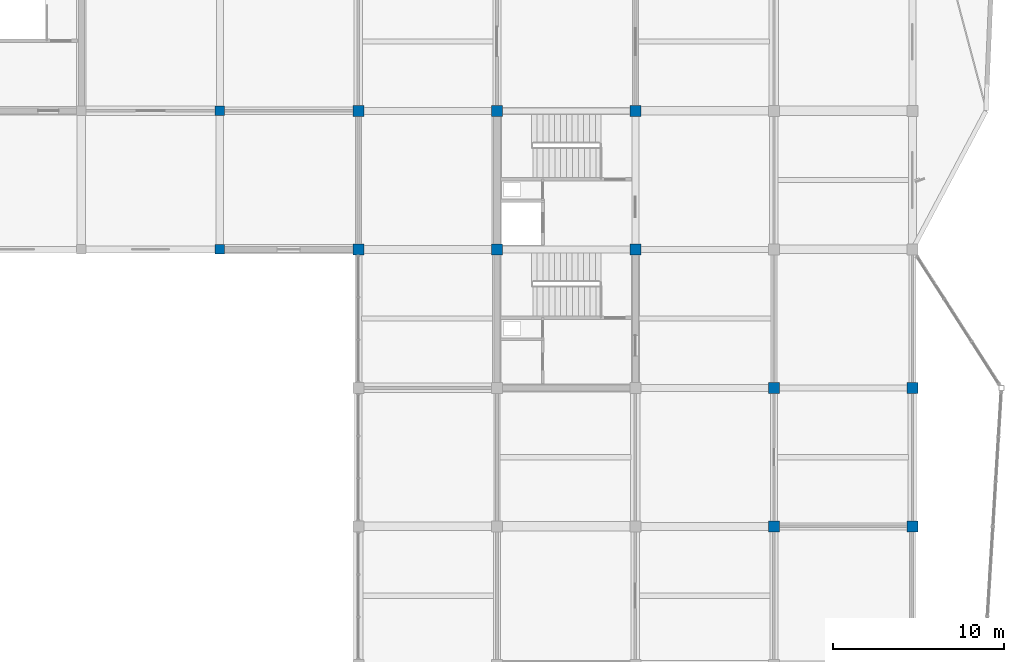
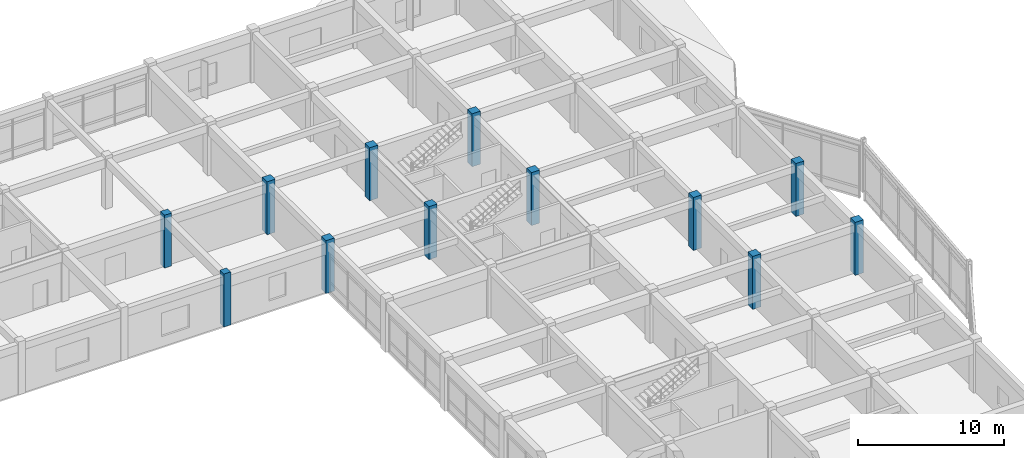
# One storey, part 5 of 40: 12 columns.
"""IFC4 building model written with IfcOpenShell, lengths in metres."""

from ifc_helpers import new_model, si_unit, direction, frame, origin, origin_2d, place, context, subcontext, project, spatial, rectangle, extrude, material, material_profile, profile_set, type_object, element, save


model = new_model("IFC4")

# Units and contexts
model_context = context("Model", 3, precision=1e-05, world=origin(), true_north=direction((0.0, 1.0)))
body_context = subcontext(model_context, "Body", "Model", "MODEL_VIEW")
ifc_project = project(units=[si_unit("LENGTHUNIT", "METRE"), si_unit("AREAUNIT", "SQUARE_METRE"), si_unit("VOLUMEUNIT", "CUBIC_METRE"), si_unit("PLANEANGLEUNIT", "RADIAN"), si_unit("MASSUNIT", "GRAM", prefix="KILO")], contexts=[model_context])

# Site, building, storey
site_placement = place(None, origin())
site = spatial("IfcSite", under=ifc_project, at=site_placement, CompositionType="ELEMENT")
building_placement = place(site_placement, origin())
building = spatial("IfcBuilding", under=site, at=building_placement, Name="Vaudrelin Polytechnic", CompositionType="ELEMENT")
storey_placement = place(building_placement, frame((0.0, 0.0, 22.949951171875)))
storey = spatial("IfcBuildingStorey", under=building, at=storey_placement, Name="L05", CompositionType="ELEMENT", Elevation=22.949951171875)

# Columns
ifc_material = material(Name="Concrete 40 MPa", Category="concrete")
ifc_material_profile_1 = material_profile(ifc_material, rectangle(XDim=0.550048828125, YDim=0.550048828125, at=origin_2d()), Name="RC550x550")
ifc_profile_set_1 = profile_set([ifc_material_profile_1], Name="Concrete 40 MPa")
column_type_1 = type_object("IfcColumnType", Name="COL-C-RC550", PredefinedType="COLUMN", material=ifc_profile_set_1)
for number, where, z_axis, x_axis, name in (
    (1, (129.60009765625, 97.199951171875, 0.0), (0.0, 0.0, 1.0), (1.0, 0.0, 0.0), "Column L05 17-13"),
    (2, (129.60009765625, 105.300048828125, 0.0), (0.0, 0.0, 1.0), (1.0, 0.0, 0.0), "Column L05 17-14"),
):
    element("IfcColumn", number, at=place(storey_placement, frame(where, z_axis=z_axis, x_axis=x_axis)), inside=storey, type_object=column_type_1, Name=name, PredefinedType="COLUMN", context=body_context, shape_type="SweptSolid", body=[
        extrude(rectangle(XDim=0.550048828125, YDim=0.550048828125, at=origin_2d()), origin(), (0.0, 0.0, 1.0), 4.420166015625),
    ])
ifc_material_profile_2 = material_profile(ifc_material, rectangle(XDim=0.64990234375, YDim=0.64990234375, at=origin_2d()), Name="RC650x650")
ifc_profile_set_2 = profile_set([ifc_material_profile_2], Name="Concrete 40 MPa")
column_type_2 = type_object("IfcColumnType", Name="COL-C-RC650", PredefinedType="COLUMN", material=ifc_profile_set_2)
for number, where, z_axis, x_axis, name in (
    (3, (137.699951171875, 97.199951171875, 0.0), (0.0, 0.0, 1.0), (1.0, 0.0, 0.0), "Column L05 18-13"),
    (4, (137.699951171875, 105.300048828125, 0.0), (0.0, 0.0, 1.0), (1.0, 0.0, 0.0), "Column L05 18-14"),
    (5, (145.800048828125, 97.199951171875, 0.0), (0.0, 0.0, 1.0), (1.0, 0.0, 0.0), "Column L05 19-13"),
    (6, (145.800048828125, 105.300048828125, 0.0), (0.0, 0.0, 1.0), (1.0, 0.0, 0.0), "Column L05 19-14"),
    (7, (153.89990234375, 97.199951171875, 0.0), (0.0, 0.0, 1.0), (1.0, 0.0, 0.0), "Column L05 20-13"),
    (8, (153.89990234375, 105.300048828125, 0.0), (0.0, 0.0, 1.0), (1.0, 0.0, 0.0), "Column L05 20-14"),
    (9, (162.0, 81.0, 0.0), (0.0, 0.0, 1.0), (1.0, 0.0, 0.0), "Column L05 21-11"),
    (10, (162.0, 89.10009765625, 0.0), (0.0, 0.0, 1.0), (1.0, 0.0, 0.0), "Column L05 21-12"),
    (11, (170.10009765625, 81.0, 0.0), (0.0, 0.0, 1.0), (1.0, 0.0, 0.0), "Column L05 22-11"),
    (12, (170.10009765625, 89.10009765625, 0.0), (0.0, 0.0, 1.0), (1.0, 0.0, 0.0), "Column L05 22-12"),
):
    element("IfcColumn", number, at=place(storey_placement, frame(where, z_axis=z_axis, x_axis=x_axis)), inside=storey, type_object=column_type_2, Name=name, PredefinedType="COLUMN", context=body_context, shape_type="SweptSolid", body=[
        extrude(rectangle(XDim=0.64990234375, YDim=0.64990234375, at=origin_2d()), origin(), (0.0, 0.0, 1.0), 4.420166015625),
    ])

save(model, "model.ifc")
